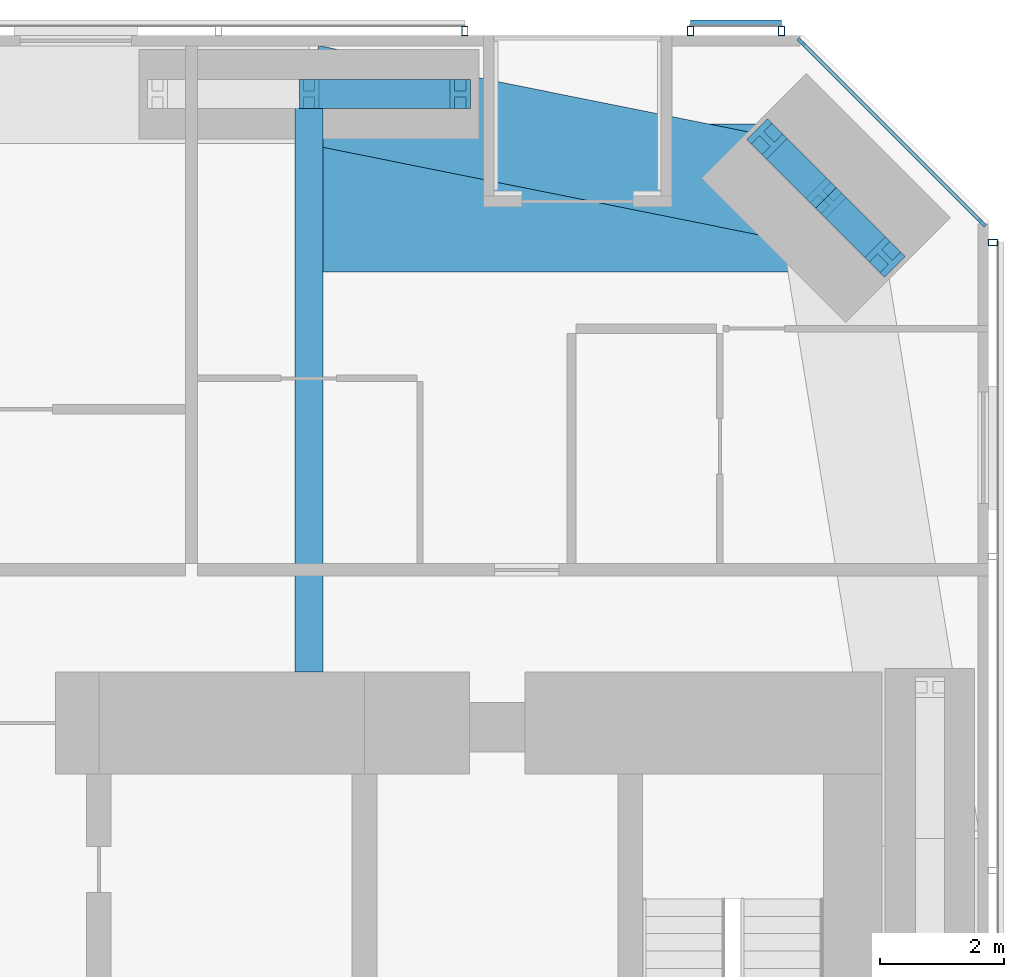
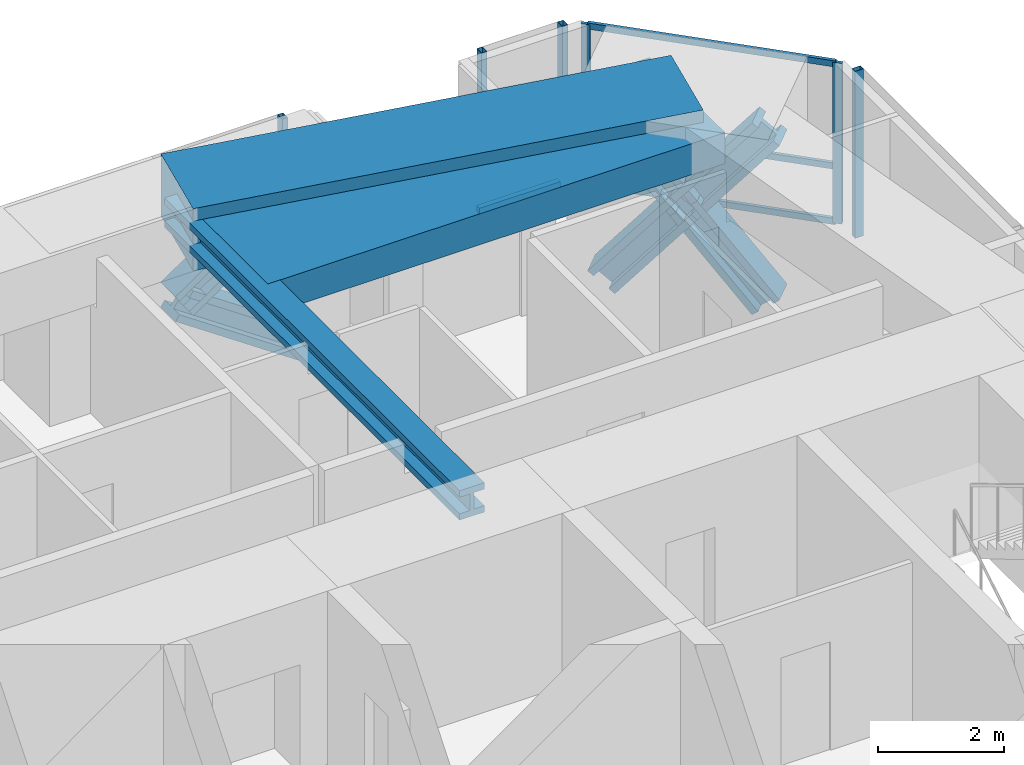
# One storey, part 15 of 24: 16 members, 3 beams, 4 elements without a shape of their own.
"""IFC4 building model written with IfcOpenShell, lengths in metres."""

from ifc_helpers import new_model, si_unit, direction, frame, origin, origin_2d, place, context, subcontext, project, spatial, rectangle, hollow_rectangle, i_section, extrude, material, material_profile, profile_set, type_object, element, aggregate, save


model = new_model("IFC4")

# Units and contexts
model_context = context("Model", 3, precision=1e-05, world=origin(), true_north=direction((0.0, 1.0)))
body_context = subcontext(model_context, "Body", "Model", "MODEL_VIEW")
ifc_project = project(units=[si_unit("LENGTHUNIT", "METRE"), si_unit("AREAUNIT", "SQUARE_METRE"), si_unit("VOLUMEUNIT", "CUBIC_METRE"), si_unit("PLANEANGLEUNIT", "RADIAN"), si_unit("MASSUNIT", "GRAM", prefix="KILO")], contexts=[model_context])

# Site, building, storey
site_placement = place(None, origin())
site = spatial("IfcSite", under=ifc_project, at=site_placement, CompositionType="ELEMENT")
building_placement = place(site_placement, origin())
building = spatial("IfcBuilding", under=site, at=building_placement, Name="Jalousie Tower", CompositionType="ELEMENT")
storey_placement = place(building_placement, frame((0.0, 0.0, 54.5)))
storey = spatial("IfcBuildingStorey", under=building, at=storey_placement, Name="L14", CompositionType="ELEMENT", Elevation=54.5)

# Curtain wall, members
ifc_material_1 = material(Name="Aluminium curtain wall", Category="aluminium")
curtain_wall_type_1 = type_object("IfcCurtainWallType", Name="CORNER WINDOW WALL", PredefinedType="USERDEFINED", material=ifc_material_1)
curtain_wall_1_placement = place(storey_placement, origin())
curtain_wall_1 = element("IfcCurtainWall", 1, at=curtain_wall_1_placement, inside=storey, type_object=curtain_wall_type_1, Name="Corner Window Wall L14 4", ObjectType="CORNER WINDOW WALL", PredefinedType="USERDEFINED")
ifc_material_2 = material(Name="Aluminium mullion", Category="aluminium")
ifc_material_profile_1 = material_profile(ifc_material_2, rectangle(XDim=0.06005859375, YDim=0.14990234375, at=origin_2d()), Name="MULLION 60x150")
ifc_profile_set_1 = profile_set([ifc_material_profile_1], Name="Aluminium mullion")
member_type_1 = type_object("IfcMemberType", Name="CORNER WINDOW WALL MULLION", PredefinedType="MULLION", material=ifc_profile_set_1)
member_1_placement = place(storey_placement, frame((45.891357421875, 34.969970703125, 0.0), z_axis=(0.0, 0.0, 1.0), x_axis=(-0.707106781187, -0.707106781187, 0.0)))
member_1 = element("IfcMember", 2, at=member_1_placement, type_object=member_type_1, Name="CW-C mullion 1", PredefinedType="MULLION", context=body_context, shape_type="SweptSolid", body=[
    extrude(rectangle(XDim=0.06005859375, YDim=0.14990234375, at=origin_2d()), origin(), (0.0, 0.0, 1.0), 3.110107421875),
])
member_2_placement = place(storey_placement, frame((42.969970703125, 37.891357421875, 0.0), z_axis=(0.0, 0.0, 1.0), x_axis=(-0.707106781187, -0.707106781187, 0.0)))
member_2 = element("IfcMember", 3, at=member_2_placement, type_object=member_type_1, Name="CW-C mullion 2", PredefinedType="MULLION", context=body_context, shape_type="SweptSolid", body=[
    extrude(rectangle(XDim=0.06005859375, YDim=0.14990234375, at=origin_2d()), origin(), (0.0, 0.0, 1.0), 3.110107421875),
])
ifc_material_3 = material(Name="Aluminium transom", Category="aluminium")
ifc_material_profile_2 = material_profile(ifc_material_3, rectangle(XDim=0.06005859375, YDim=0.1201171875, at=origin_2d()), Name="TRANSOM 60x120")
ifc_profile_set_2 = profile_set([ifc_material_profile_2], Name="Aluminium transom")
member_type_2 = type_object("IfcMemberType", Name="CORNER WINDOW WALL TRANSOM", PredefinedType="USERDEFINED", material=ifc_profile_set_2)
member_3_placement = place(storey_placement, frame((45.8701171875, 34.9912109375, 0.030029296875), z_axis=(-0.707106781187, 0.707106781187, 0.0), x_axis=(-0.707106781187, -0.707106781187, 0.0)))
member_3 = element("IfcMember", 4, at=member_3_placement, type_object=member_type_2, Name="CW-C transom 1.1", ObjectType="TRANSOM", PredefinedType="USERDEFINED", context=body_context, shape_type="SweptSolid", body=[
    extrude(rectangle(XDim=0.06005859375, YDim=0.1201171875, at=origin_2d()), origin(), (0.0, 0.0, 1.0), 4.0712890625),
])
member_4_placement = place(storey_placement, frame((45.8701171875, 34.9912109375, 1.10009765625), z_axis=(-0.707106781187, 0.707106781187, 0.0), x_axis=(-0.707106781187, -0.707106781187, 0.0)))
member_4 = element("IfcMember", 5, at=member_4_placement, type_object=member_type_2, Name="CW-C transom 1.2", ObjectType="TRANSOM", PredefinedType="USERDEFINED", context=body_context, shape_type="SweptSolid", body=[
    extrude(rectangle(XDim=0.06005859375, YDim=0.1201171875, at=origin_2d()), origin(), (0.0, 0.0, 1.0), 4.0712890625),
])
member_5_placement = place(storey_placement, frame((45.8701171875, 34.9912109375, 3.080078125), z_axis=(-0.707106781187, 0.707106781187, 0.0), x_axis=(-0.707106781187, -0.707106781187, 0.0)))
member_5 = element("IfcMember", 6, at=member_5_placement, type_object=member_type_2, Name="CW-C transom 1.3", ObjectType="TRANSOM", PredefinedType="USERDEFINED", context=body_context, shape_type="SweptSolid", body=[
    extrude(rectangle(XDim=0.06005859375, YDim=0.1201171875, at=origin_2d()), origin(), (0.0, 0.0, 1.0), 4.0712890625),
])
aggregate(curtain_wall_1, [member_1, member_2, member_3, member_4, member_5])

# Beam
ifc_material_4 = material(Name="Steel ASTM A992 Grade 50", Category="steel")
ifc_material_profile_3 = material_profile(ifc_material_4, i_section(OverallWidth=0.45458984375, OverallDepth=0.569091796875, WebThickness=0.077880859375, FlangeThickness=0.124755859375, at=origin_2d()), Name="W14X730")
ifc_profile_set_3 = profile_set([ifc_material_profile_3], Name="Steel ASTM A992 Grade 50")
beam_type_1 = type_object("IfcBeamType", Name="LEAN COLLECTOR W14X730", PredefinedType="BEAM", material=ifc_profile_set_3)
beam_1_placement = place(storey_placement, frame((35.0, 37.050048828125, 2.825439453125), z_axis=(0.0, -1.0, 0.0), x_axis=(1.0, 0.0, 0.0)))
element("IfcBeam", 7, at=beam_1_placement, inside=storey, type_object=beam_type_1, Name="Lean collector under L15", PredefinedType="BEAM", context=body_context, shape_type="SweptSolid", body=[
    extrude(i_section(OverallWidth=0.45458984375, OverallDepth=0.569091796875, WebThickness=0.077880859375, FlangeThickness=0.124755859375, at=origin_2d()), origin(), (0.0, 0.0, 1.0), 9.35009765625),
])

# Members
ifc_material_5 = material(Name="Steel ASTM A992 Grade 50", Category="steel")
ifc_material_profile_4 = material_profile(ifc_material_5, i_section(OverallWidth=0.472412109375, OverallDepth=0.5791015625, WebThickness=0.094970703125, FlangeThickness=0.1298828125, at=origin_2d()), Name="W14X808")
ifc_profile_set_4 = profile_set([ifc_material_profile_4], Name="Steel ASTM A992 Grade 50")
member_type_3 = type_object("IfcMemberType", Name="PERIMETER BRACE W14X808", PredefinedType="BRACE", material=ifc_profile_set_4)
for number, where, z_axis, x_axis, name in (
    (8, (44.3232421875, 34.4140625, -0.60009765625), (-0.443718327034, 0.443718327034, 0.778606506849), (-0.707106781187, -0.707106781187, 0.0), "Perimeter brace 08 L14 part 1"),
    (9, (43.36865234375, 35.36865234375, 1.074951171875), (-0.443718327034, 0.443718327034, 0.778606506849), (-0.707106781187, -0.707106781187, 0.0), "Perimeter brace 08 L14 part 2"),
    (10, (42.4140625, 36.3232421875, -0.60009765625), (0.443718327034, -0.443718327034, 0.778606506849), (0.707106781187, 0.707106781187, 0.0), "Perimeter brace 08 L14 part 3"),
    (11, (43.36865234375, 35.36865234375, 1.074951171875), (0.443718327034, -0.443718327034, 0.778606506849), (0.707106781187, 0.707106781187, 0.0), "Perimeter brace 08 L14 part 4"),
):
    element("IfcMember", number, at=place(storey_placement, frame(where, z_axis=z_axis, x_axis=x_axis)), inside=storey, type_object=member_type_3, Name=name, PredefinedType="BRACE", context=body_context, shape_type="SweptSolid", body=[
        extrude(i_section(OverallWidth=0.472412109375, OverallDepth=0.5791015625, WebThickness=0.094970703125, FlangeThickness=0.1298828125, at=origin_2d()), origin(), (0.0, 0.0, 1.0), 2.1513671875),
    ])
for number, where, z_axis, x_axis, name in (
    (12, (35.0, 37.050048828125, 1.074951171875), (0.825500916831, 0.0, 0.564400776321), (0.0, 1.0, 0.0), "Perimeter brace 09 L14 part 2"),
    (13, (37.449951171875, 37.050048828125, -0.60009765625), (-0.825500916831, 0.0, 0.564400776321), (0.0, -1.0, 0.0), "Perimeter brace 09 L14 part 3"),
):
    element("IfcMember", number, at=place(storey_placement, frame(where, z_axis=z_axis, x_axis=x_axis)), inside=storey, type_object=member_type_3, Name=name, PredefinedType="BRACE", context=body_context, shape_type="SweptSolid", body=[
        extrude(i_section(OverallWidth=0.472412109375, OverallDepth=0.5791015625, WebThickness=0.094970703125, FlangeThickness=0.1298828125, at=origin_2d()), origin(), (0.0, 0.0, 1.0), 2.9677734375),
    ])

# Beams
ifc_material_6 = material(Name="Concrete f'c 40 MPa", Category="concrete")
ifc_material_profile_5 = material_profile(ifc_material_6, rectangle(XDim=1.60009765625, YDim=1.199951171875, at=origin_2d()), Name="RC 1600x1200")
ifc_profile_set_5 = profile_set([ifc_material_profile_5], Name="Concrete f'c 40 MPa")
beam_type_2 = type_object("IfcBeamType", Name="RC BEAM 1600x1200", PredefinedType="BEAM", material=ifc_profile_set_5)
beam_2_placement = place(storey_placement, frame((43.36865234375, 35.36865234375, 2.75), z_axis=(-0.980407585444, 0.196979609107, 0.0), x_axis=(-0.196979609107, -0.980407585444, 0.0)))
element("IfcBeam", 14, at=beam_2_placement, inside=storey, type_object=beam_type_2, Name="Edge band beam 08-09 under L15", PredefinedType="BEAM", context=body_context, shape_type="SweptSolid", body=[
    extrude(rectangle(XDim=1.60009765625, YDim=1.199951171875, at=origin_2d()), origin(), (0.0, 0.0, 1.0), 8.535888671875),
])
ifc_material_7 = material(Name="Concrete f'c 40 MPa", Category="concrete")
ifc_material_profile_6 = material_profile(ifc_material_7, rectangle(XDim=2.39990234375, YDim=0.60009765625, at=origin_2d()), Name="RC 2400x600")
ifc_profile_set_6 = profile_set([ifc_material_profile_6], Name="Concrete f'c 40 MPa")
beam_type_3 = type_object("IfcBeamType", Name="RC BEAM 2400x600", PredefinedType="BEAM", material=ifc_profile_set_6)
beam_3_placement = place(storey_placement, frame((43.36865234375, 35.36865234375, 2.81005859375), z_axis=(-1.0, 0.0, 0.0), x_axis=(0.0, -1.0, 0.0)))
element("IfcBeam", 15, at=beam_3_placement, inside=storey, type_object=beam_type_3, Name="Floor band beam under L15", PredefinedType="BEAM", context=body_context, shape_type="SweptSolid", body=[
    extrude(rectangle(XDim=2.39990234375, YDim=0.60009765625, at=origin_2d()), origin(), (0.0, 0.0, 1.0), 8.36865234375),
])

# Curtain wall, member
ifc_material_8 = material(Name="Perforated aluminium sheet", Category="aluminium")
curtain_wall_type_2 = type_object("IfcCurtainWallType", Name="SOLAR SCREEN SS-1", PredefinedType="USERDEFINED", material=ifc_material_8)
curtain_wall_2_placement = place(storey_placement, origin())
curtain_wall_2 = element("IfcCurtainWall", 16, at=curtain_wall_2_placement, inside=storey, type_object=curtain_wall_type_2, Name="Solar screen L14", ObjectType="SOLAR SCREEN SS-1", PredefinedType="USERDEFINED")
ifc_material_9 = material(Name="Steel ASTM A500 Grade C", Category="steel")
ifc_material_profile_7 = material_profile(ifc_material_9, hollow_rectangle(XDim=0.1015625, YDim=0.15234375, WallThickness=0.00634765625, at=origin_2d()), Name="HSS6X4X1/4")
ifc_profile_set_7 = profile_set([ifc_material_profile_7], Name="Steel ASTM A500 Grade C")
member_type_4 = type_object("IfcMemberType", Name="SOLAR SCREEN SS-1 MULLION", PredefinedType="MULLION", material=ifc_profile_set_7)
member_6_placement = place(storey_placement, frame((46.0712890625, 34.648681640625, -0.1201171875), z_axis=(0.0, 0.0, 1.0), x_axis=(0.0, 1.0, 0.0)))
member_6 = element("IfcMember", 17, at=member_6_placement, type_object=member_type_4, Name="SS1 post 4", PredefinedType="MULLION", context=body_context, shape_type="SweptSolid", body=[
    extrude(hollow_rectangle(XDim=0.1015625, YDim=0.15234375, WallThickness=0.00634765625, at=origin_2d()), origin(), (0.0, 0.0, 1.0), 3.230224609375),
])
aggregate(curtain_wall_2, [member_6])

# Curtain wall, members
curtain_wall_3_placement = place(storey_placement, origin())
curtain_wall_3 = element("IfcCurtainWall", 18, at=curtain_wall_3_placement, inside=storey, type_object=curtain_wall_type_2, Name="Solar screen L14", ObjectType="SOLAR SCREEN SS-1", PredefinedType="USERDEFINED")
member_7_placement = place(storey_placement, frame((42.648681640625, 38.0712890625, -0.1201171875), z_axis=(0.0, 0.0, 1.0), x_axis=(-1.0, 0.0, 0.0)))
member_7 = element("IfcMember", 19, at=member_7_placement, type_object=member_type_4, Name="SS1 post 1", PredefinedType="MULLION", context=body_context, shape_type="SweptSolid", body=[
    extrude(hollow_rectangle(XDim=0.1015625, YDim=0.15234375, WallThickness=0.00634765625, at=origin_2d()), origin(), (0.0, 0.0, 1.0), 3.230224609375),
])
member_8_placement = place(storey_placement, frame((41.173583984375, 38.0712890625, -0.1201171875), z_axis=(0.0, 0.0, 1.0), x_axis=(-1.0, 0.0, 0.0)))
member_8 = element("IfcMember", 20, at=member_8_placement, type_object=member_type_4, Name="SS1 post 2", PredefinedType="MULLION", context=body_context, shape_type="SweptSolid", body=[
    extrude(hollow_rectangle(XDim=0.1015625, YDim=0.15234375, WallThickness=0.00634765625, at=origin_2d()), origin(), (0.0, 0.0, 1.0), 3.230224609375),
])

# Curtain wall, member
curtain_wall_4_placement = place(storey_placement, origin())
curtain_wall_4 = element("IfcCurtainWall", 21, at=curtain_wall_4_placement, inside=storey, type_object=curtain_wall_type_2, Name="Solar screen L14", ObjectType="SOLAR SCREEN SS-1", PredefinedType="USERDEFINED")
member_9_placement = place(storey_placement, frame((37.523681640625, 38.0712890625, -0.1201171875), z_axis=(0.0, 0.0, 1.0), x_axis=(-1.0, 0.0, 0.0)))
member_9 = element("IfcMember", 22, at=member_9_placement, type_object=member_type_4, Name="SS1 post 1", PredefinedType="MULLION", context=body_context, shape_type="SweptSolid", body=[
    extrude(hollow_rectangle(XDim=0.1015625, YDim=0.15234375, WallThickness=0.00634765625, at=origin_2d()), origin(), (0.0, 0.0, 1.0), 3.230224609375),
])
aggregate(curtain_wall_4, [member_9])

# Member
ifc_material_10 = material(Name="Extruded aluminium screen rail", Category="aluminium")
ifc_material_profile_8 = material_profile(ifc_material_10, rectangle(XDim=0.1015625, YDim=0.1201171875, at=origin_2d()), Name="RAIL 102x120")
ifc_profile_set_8 = profile_set([ifc_material_profile_8], Name="Extruded aluminium screen rail")
member_type_5 = type_object("IfcMemberType", Name="SOLAR SCREEN SS-1 TRANSOM", PredefinedType="USERDEFINED", material=ifc_profile_set_8)
member_10_placement = place(storey_placement, frame((42.648681640625, 38.1982421875, -0.06005859375), z_axis=(-1.0, 0.0, 0.0), x_axis=(0.0, -1.0, 0.0)))
member_10 = element("IfcMember", 23, at=member_10_placement, type_object=member_type_5, Name="SS1 rail", ObjectType="TRANSOM", PredefinedType="USERDEFINED", context=body_context, shape_type="SweptSolid", body=[
    extrude(rectangle(XDim=0.1015625, YDim=0.1201171875, at=origin_2d()), origin(), (0.0, 0.0, 1.0), 1.47509765625),
])

aggregate(curtain_wall_3, [member_7, member_8, member_10])

save(model, "model.ifc")
